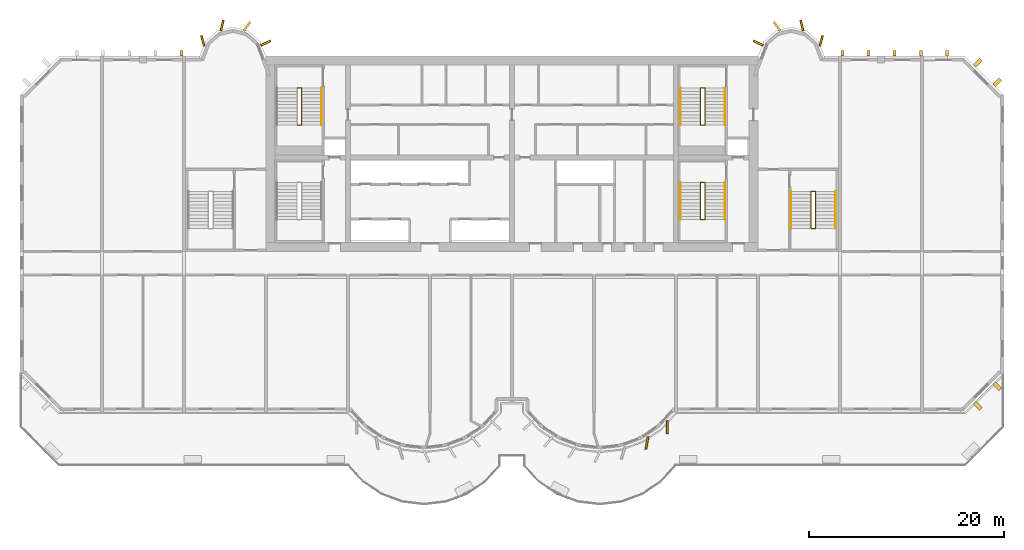
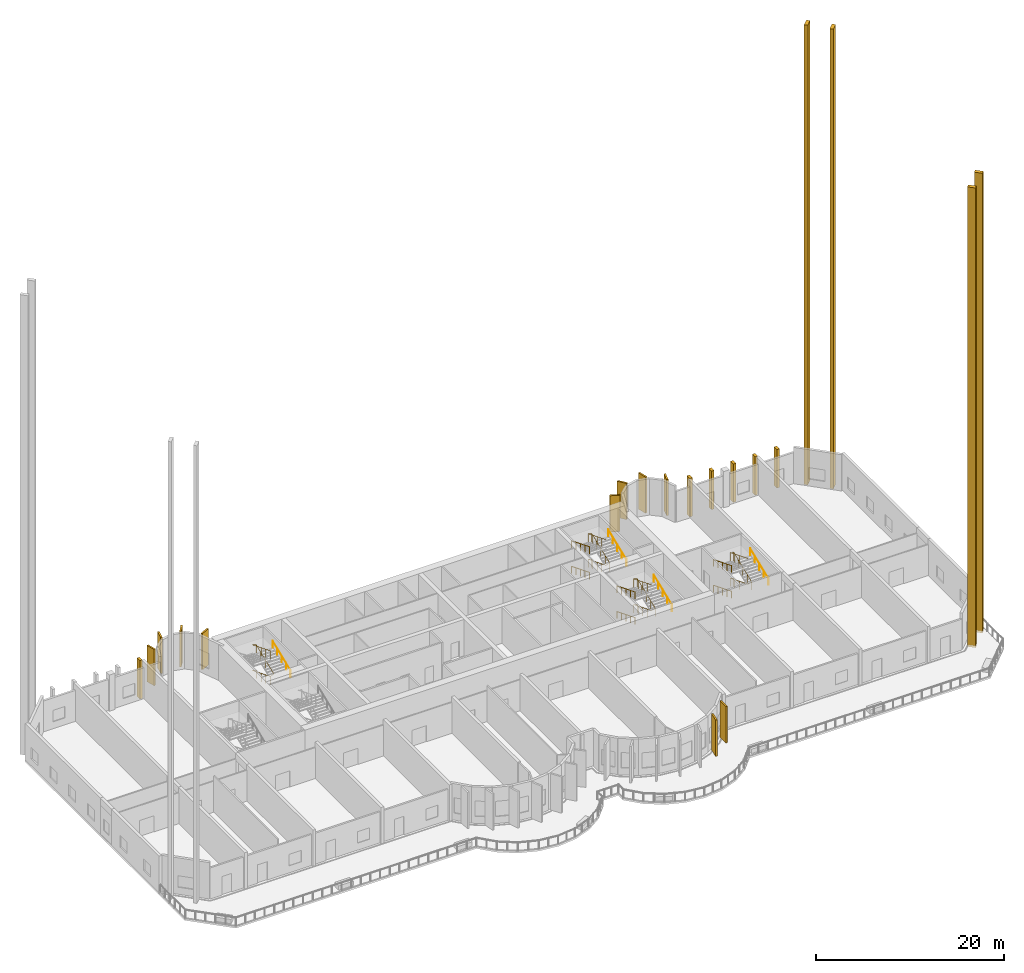
# One storey, part 12 of 13: 20 coverings, 14 railings.
"""IFC4 building model written with IfcOpenShell, lengths in metres."""

from ifc_helpers import new_model, si_unit, direction, frame, origin, origin_2d, place, context, subcontext, project, spatial, rectangle, circle, extrude, source, transform, mapped, material, material_profile, profile_set, type_object, element, save


model = new_model("IFC4")

# Units and contexts
model_context = context("Model", 3, precision=1e-05, world=origin(), true_north=direction((0.0, 1.0)))
body_context = subcontext(model_context, "Body", "Model", "MODEL_VIEW")
ifc_project = project(units=[si_unit("LENGTHUNIT", "METRE"), si_unit("AREAUNIT", "SQUARE_METRE"), si_unit("VOLUMEUNIT", "CUBIC_METRE"), si_unit("PLANEANGLEUNIT", "RADIAN"), si_unit("MASSUNIT", "GRAM", prefix="KILO")], contexts=[model_context])

# Site, building, storey
site_placement = place(None, origin())
site = spatial("IfcSite", under=ifc_project, at=site_placement, CompositionType="ELEMENT")
building_placement = place(site_placement, origin())
building = spatial("IfcBuilding", under=site, at=building_placement, Name="Vanashikhar Sky Hotel", CompositionType="ELEMENT")
storey_placement = place(building_placement, frame((0.0, 0.0, 86.39990234375)))
storey = spatial("IfcBuildingStorey", under=building, at=storey_placement, Name="L20", CompositionType="ELEMENT", Elevation=86.39990234375)

# Coverings
ifc_material_1 = material(Name="Concrete M60 dark", Category="concrete")
ifc_material_profile_1 = material_profile(ifc_material_1, rectangle(XDim=1.300048828125, YDim=0.199951171875, at=origin_2d()))
ifc_profile_set_1 = profile_set([ifc_material_profile_1], Name="Fin 1300 x 200")
covering_type_1 = type_object("IfcCoveringType", Name="Fin 1300 x 200", PredefinedType="CLADDING", material=ifc_profile_set_1)
shared_shape_1 = source(origin(), body_context, "Body", "SweptSolid", [
    extrude(rectangle(XDim=1.300048828125, YDim=0.199951171875, at=origin_2d()), origin(), (0.0, 0.0, 1.0), 4.72021484375),
])
for number, where, z_axis, x_axis, name in (
    (1, (64.2275390625, 2.3779296875, 0.0), (0.0, 0.0, 1.0), (-0.16989991575, -0.985461322746, 0.0), "Fin F2-6"),
    (2, (66.317626953125, 3.992919921875, 0.0), (0.0, 0.0, 1.0), (-0.011588726826, -0.999932848451, 0.0), "Fin F2-7"),
):
    element("IfcCovering", number, at=place(storey_placement, frame(where, z_axis=z_axis, x_axis=x_axis)), inside=storey, type_object=covering_type_1, Name=name, PredefinedType="CLADDING", context=body_context, shape_type="MappedRepresentation", body=[
        mapped(shared_shape_1, transform((0.0, 0.0, 0.0), scale=1.0)),
    ])
ifc_material_profile_2 = material_profile(ifc_material_1, rectangle(XDim=1.10009765625, YDim=0.199951171875, at=origin_2d()))
ifc_profile_set_2 = profile_set([ifc_material_profile_2], Name="Rear lobe fin 1100 x 200")
covering_type_2 = type_object("IfcCoveringType", Name="Rear lobe fin 1100 x 200", PredefinedType="CLADDING", material=ifc_profile_set_2)
shared_shape_2 = source(origin(), body_context, "Body", "SweptSolid", [
    extrude(rectangle(XDim=1.10009765625, YDim=0.199951171875, at=origin_2d()), origin(), (0.0, 0.0, 1.0), 4.72021484375),
])
for number, where, z_axis, x_axis, name in (
    (3, (18.720703125, 43.580078125, 0.0), (0.0, 0.0, 1.0), (-0.262711264409, 0.964874495234, 0.0), "Fin R1-1"),
    (4, (20.710205078125, 45.1455078125, 0.0), (0.0, 0.0, 1.0), (0.224644935864, 0.974440687159, 0.0), "Fin R1-2"),
    (5, (23.261962890625, 45.06640625, 0.0), (0.0, 0.0, 1.0), (0.602065892195, 0.798446404874, 0.0), "Fin R1-3"),
    (6, (25.169677734375, 43.33447265625, 0.0), (0.0, 0.0, 1.0), (0.908004291068, 0.418960866193, 0.0), "Fin R1-4"),
    (7, (75.63037109375, 43.33447265625, 0.0), (0.0, 0.0, 1.0), (-0.908004291068, 0.418960866193, 0.0), "Fin R2-1"),
    (8, (77.5380859375, 45.06640625, 0.0), (0.0, 0.0, 1.0), (-0.602065892195, 0.798446404874, 0.0), "Fin R2-2"),
    (9, (80.08984375, 45.1455078125, 0.0), (0.0, 0.0, 1.0), (-0.224644935864, 0.974440687159, 0.0), "Fin R2-3"),
    (10, (82.0791015625, 43.580078125, 0.0), (0.0, 0.0, 1.0), (0.262711264409, 0.964874495234, 0.0), "Fin R2-4"),
):
    element("IfcCovering", number, at=place(storey_placement, frame(where, z_axis=z_axis, x_axis=x_axis)), inside=storey, type_object=covering_type_2, Name=name, PredefinedType="CLADDING", context=body_context, shape_type="MappedRepresentation", body=[
        mapped(shared_shape_2, transform((0.0, 0.0, 0.0), scale=1.0)),
    ])
ifc_material_profile_3 = material_profile(ifc_material_1, rectangle(XDim=0.60009765625, YDim=0.300048828125, at=origin_2d()))
ifc_profile_set_3 = profile_set([ifc_material_profile_3], Name="Rear rib 600 x 300")
covering_type_3 = type_object("IfcCoveringType", Name="Rear rib 600 x 300", PredefinedType="CLADDING", material=ifc_profile_set_3)
shared_shape_3 = source(origin(), body_context, "Body", "SweptSolid", [
    extrude(rectangle(XDim=0.60009765625, YDim=0.300048828125, at=origin_2d()), origin(), (0.0, 0.0, 1.0), 5.0),
])
for number, where, z_axis, x_axis, name in (
    (11, (16.56005859375, 42.300048828125, -0.27978515625), (0.0, 0.0, 1.0), (0.0, 1.0, 0.0), "Rear rib"),
    (12, (84.239990234375, 42.300048828125, -0.27978515625), (0.0, 0.0, 1.0), (0.0, 1.0, 0.0), "Rear rib"),
    (13, (86.919921875, 42.300048828125, -0.27978515625), (0.0, 0.0, 1.0), (0.0, 1.0, 0.0), "Rear rib"),
    (14, (89.60009765625, 42.300048828125, -0.27978515625), (0.0, 0.0, 1.0), (0.0, 1.0, 0.0), "Rear rib"),
    (15, (92.280029296875, 42.300048828125, -0.27978515625), (0.0, 0.0, 1.0), (0.0, 1.0, 0.0), "Rear rib"),
    (16, (94.9599609375, 42.300048828125, -0.27978515625), (0.0, 0.0, 1.0), (0.0, 1.0, 0.0), "Rear rib"),
):
    element("IfcCovering", number, at=place(storey_placement, frame(where, z_axis=z_axis, x_axis=x_axis)), inside=storey, type_object=covering_type_3, Name=name, PredefinedType="CLADDING", context=body_context, shape_type="MappedRepresentation", body=[
        mapped(shared_shape_3, transform((0.0, 0.0, 0.0), scale=1.0)),
    ])
ifc_material_profile_4 = material_profile(ifc_material_1, rectangle(XDim=0.89990234375, YDim=0.39990234375, at=origin_2d()))
ifc_profile_set_4 = profile_set([ifc_material_profile_4], Name="Chamfer fin 900 x 400")
covering_type_4 = type_object("IfcCoveringType", Name="Chamfer fin 900 x 400", PredefinedType="CLADDING", material=ifc_profile_set_4)
shared_shape_4 = source(origin(), body_context, "Body", "SweptSolid", [
    extrude(rectangle(XDim=0.89990234375, YDim=0.39990234375, at=origin_2d()), origin(), (0.0, 0.0, 1.0), 59.7998046875),
])
for number, where, z_axis, x_axis, name in (
    (17, (98.1181640625, 6.181884765625, -0.27978515625), (0.0, 0.0, 1.0), (0.707106781187, -0.707106781187, 0.0), "Chamfer fin"),
    (18, (100.1181640625, 8.181884765625, -0.27978515625), (0.0, 0.0, 1.0), (0.707106781187, -0.707106781187, 0.0), "Chamfer fin"),
    (19, (100.1181640625, 39.318115234375, -0.27978515625), (0.0, 0.0, 1.0), (0.707106781187, 0.707106781187, 0.0), "Chamfer fin"),
    (20, (98.1181640625, 41.318115234375, -0.27978515625), (0.0, 0.0, 1.0), (0.707106781187, 0.707106781187, 0.0), "Chamfer fin"),
):
    element("IfcCovering", number, at=place(storey_placement, frame(where, z_axis=z_axis, x_axis=x_axis)), inside=storey, type_object=covering_type_4, Name=name, PredefinedType="CLADDING", context=body_context, shape_type="MappedRepresentation", body=[
        mapped(shared_shape_4, transform((0.0, 0.0, 0.0), scale=1.0)),
    ])

# Railings
ifc_material_2 = material(Name="Steel S355", Category="steel")
railing_type_1 = type_object("IfcRailingType", Name="Stair handrail 900", PredefinedType="HANDRAIL", material=ifc_material_2)
shared_shape_5 = source(origin(), body_context, "Body", "SweptSolid", [
    extrude(circle(Radius=0.02392578125, at=origin_2d()), frame((0.0, 0.0, 0.8759765625), z_axis=(0.0, 0.927817477834, 0.373034486109), x_axis=(-1.0, 0.0, 0.0)), (0.0, 0.0, 1.0), 4.095703125),
    extrude(circle(Radius=0.02099609375, at=origin_2d()), origin(), (0.0, 0.0, 1.0), 0.851806640625),
    extrude(circle(Radius=0.02099609375, at=origin_2d()), frame((0.0, 0.949951171875, 0.3818359375)), (0.0, 0.0, 1.0), 0.851806640625),
    extrude(circle(Radius=0.02099609375, at=origin_2d()), frame((0.0, 1.89990234375, 0.763916015625)), (0.0, 0.0, 1.0), 0.851806640625),
    extrude(circle(Radius=0.02099609375, at=origin_2d()), frame((0.0, 2.85009765625, 1.14599609375)), (0.0, 0.0, 1.0), 0.851806640625),
    extrude(circle(Radius=0.02099609375, at=origin_2d()), frame((0.0, 3.800048828125, 1.52783203125)), (0.0, 0.0, 1.0), 0.851806640625),
])
for number, where, name in (
    (21, (72.199951171875, 25.25, 1.8056640625), "Exit stair 2 handrail"),
    (22, (30.89990234375, 34.949951171875, 1.8056640625), "Exit stair 5 handrail"),
    (23, (72.199951171875, 34.949951171875, 1.8056640625), "Exit stair 6 handrail"),
):
    element("IfcRailing", number, at=place(storey_placement, frame(where)), inside=storey, type_object=railing_type_1, Name=name, PredefinedType="HANDRAIL", context=body_context, shape_type="MappedRepresentation", body=[
        mapped(shared_shape_5, transform((0.0, 0.0, 0.0), scale=1.0)),
    ])
shared_shape_6 = source(origin(), body_context, "Body", "SweptSolid", [
    extrude(circle(Radius=0.02392578125, at=origin_2d()), frame((0.0, 0.0, 0.8759765625), z_axis=(0.0, -0.927838108096, 0.372983170084), x_axis=(1.0, 0.0, 0.0)), (0.0, 0.0, 1.0), 4.095703125),
    extrude(circle(Radius=0.02099609375, at=origin_2d()), origin(), (0.0, 0.0, 1.0), 0.851806640625),
    extrude(circle(Radius=0.02099609375, at=origin_2d()), frame((0.0, -0.949951171875, 0.3818359375)), (0.0, 0.0, 1.0), 0.851806640625),
    extrude(circle(Radius=0.02099609375, at=origin_2d()), frame((0.0, -1.89990234375, 0.763671875)), (0.0, 0.0, 1.0), 0.851806640625),
    extrude(circle(Radius=0.02099609375, at=origin_2d()), frame((0.0, -2.85009765625, 1.145751953125)), (0.0, 0.0, 1.0), 0.851806640625),
    extrude(circle(Radius=0.02099609375, at=origin_2d()), frame((0.0, -3.800048828125, 1.527587890625)), (0.0, 0.0, 1.0), 0.851806640625),
])
for number, where, name in (
    (24, (67.64990234375, 29.050048828125, 3.472412109375), "Exit stair 2 handrail"),
    (25, (67.64990234375, 38.75, 3.472412109375), "Exit stair 6 handrail"),
):
    element("IfcRailing", number, at=place(storey_placement, frame(where)), inside=storey, type_object=railing_type_1, Name=name, PredefinedType="HANDRAIL", context=body_context, shape_type="MappedRepresentation", body=[
        mapped(shared_shape_6, transform((0.0, 0.0, 0.0), scale=1.0)),
    ])
railing_type_2 = type_object("IfcRailingType", Name="Stair guard 1100", PredefinedType="GUARDRAIL", material=ifc_material_2)
shared_shape_7 = source(origin(), body_context, "Body", "SweptSolid", [
    extrude(circle(Radius=0.02392578125, at=origin_2d()), frame((0.0, 0.0, 1.076171875), z_axis=(-0.955543416296, 0.0, 0.294850435939), x_axis=(0.0, -1.0, 0.0)), (0.0, 0.0, 1.0), 0.47119140625),
    extrude(circle(Radius=0.02392578125, at=origin_2d()), frame((-0.4501953125, 0.0, 1.21484375), z_axis=(0.0, -0.927817477834, 0.373034486109), x_axis=(1.0, 0.0, 0.0)), (0.0, 0.0, 1.0), 4.095703125),
    extrude(circle(Radius=0.02392578125, at=origin_2d()), frame((-0.4501953125, -3.800048828125, 2.74267578125), z_axis=(0.955543416296, 0.0, 0.294850435939), x_axis=(0.0, 1.0, 0.0)), (0.0, 0.0, 1.0), 0.47119140625),
    extrude(circle(Radius=0.02392578125, at=origin_2d()), frame((0.0, -3.800048828125, 2.8818359375), z_axis=(0.0, 0.927817477834, 0.373034486109), x_axis=(-1.0, 0.0, 0.0)), (0.0, 0.0, 1.0), 4.095703125),
    extrude(circle(Radius=0.02392578125, at=origin_2d()), frame((0.0, 0.0, 4.40966796875), z_axis=(-0.955543416296, 0.0, 0.294850435939), x_axis=(0.0, -1.0, 0.0)), (0.0, 0.0, 1.0), 0.47119140625),
    extrude(circle(Radius=0.02392578125, at=origin_2d()), frame((-0.4501953125, 0.0, 4.54833984375), z_axis=(0.0, -0.927838108096, 0.372983170084), x_axis=(1.0, 0.0, 0.0)), (0.0, 0.0, 1.0), 4.095703125),
    extrude(circle(Radius=0.02099609375, at=origin_2d()), origin(), (0.0, 0.0, 1.0), 1.052001953125),
    extrude(circle(Radius=0.02099609375, at=origin_2d()), frame((-0.4501953125, 0.0, 0.138916015625)), (0.0, 0.0, 1.0), 1.052001953125),
    extrude(circle(Radius=0.02099609375, at=origin_2d()), frame((-0.4501953125, -0.949951171875, 0.52099609375)), (0.0, 0.0, 1.0), 1.052001953125),
    extrude(circle(Radius=0.02099609375, at=origin_2d()), frame((-0.4501953125, -1.89990234375, 0.90283203125)), (0.0, 0.0, 1.0), 1.052001953125),
    extrude(circle(Radius=0.02099609375, at=origin_2d()), frame((-0.4501953125, -2.85009765625, 1.28466796875)), (0.0, 0.0, 1.0), 1.052001953125),
    extrude(circle(Radius=0.02099609375, at=origin_2d()), frame((-0.4501953125, -3.800048828125, 1.666748046875)), (0.0, 0.0, 1.0), 1.052001953125),
    extrude(circle(Radius=0.02099609375, at=origin_2d()), frame((0.0, -3.800048828125, 1.8056640625)), (0.0, 0.0, 1.0), 1.052001953125),
    extrude(circle(Radius=0.02099609375, at=origin_2d()), frame((0.0, -2.85009765625, 2.1875)), (0.0, 0.0, 1.0), 1.052001953125),
    extrude(circle(Radius=0.02099609375, at=origin_2d()), frame((0.0, -1.89990234375, 2.569580078125)), (0.0, 0.0, 1.0), 1.052001953125),
    extrude(circle(Radius=0.02099609375, at=origin_2d()), frame((0.0, -0.949951171875, 2.95166015625)), (0.0, 0.0, 1.0), 1.052001953125),
    extrude(circle(Radius=0.02099609375, at=origin_2d()), frame((0.0, 0.0, 3.33349609375)), (0.0, 0.0, 1.0), 1.052001953125),
    extrude(circle(Radius=0.02099609375, at=origin_2d()), frame((-0.4501953125, 0.0, 3.472412109375)), (0.0, 0.0, 1.0), 1.052001953125),
    extrude(circle(Radius=0.02099609375, at=origin_2d()), frame((-0.4501953125, -0.949951171875, 3.854248046875)), (0.0, 0.0, 1.0), 1.052001953125),
    extrude(circle(Radius=0.02099609375, at=origin_2d()), frame((-0.4501953125, -1.89990234375, 4.236328125)), (0.0, 0.0, 1.0), 1.052001953125),
    extrude(circle(Radius=0.02099609375, at=origin_2d()), frame((-0.4501953125, -2.85009765625, 4.6181640625)), (0.0, 0.0, 1.0), 1.052001953125),
    extrude(circle(Radius=0.02099609375, at=origin_2d()), frame((-0.4501953125, -3.800048828125, 5.0)), (0.0, 0.0, 1.0), 1.052001953125),
])
railing_1_placement = place(storey_placement, frame((28.85009765625, 38.75, 0.0)))
element("IfcRailing", 26, at=railing_1_placement, inside=storey, type_object=railing_type_2, Name="Exit stair 5 guard", PredefinedType="GUARDRAIL", context=body_context, shape_type="MappedRepresentation", body=[
    mapped(shared_shape_7, transform((0.0, 0.0, 0.0), scale=1.0)),
])
shared_shape_8 = source(origin(), body_context, "Body", "SweptSolid", [
    extrude(circle(Radius=0.02392578125, at=origin_2d()), frame((0.0, 0.0, 0.8759765625), z_axis=(0.0, -0.927817477834, 0.373034486109), x_axis=(1.0, 0.0, 0.0)), (0.0, 0.0, 1.0), 4.095703125),
    extrude(circle(Radius=0.02099609375, at=origin_2d()), origin(), (0.0, 0.0, 1.0), 0.851806640625),
    extrude(circle(Radius=0.02099609375, at=origin_2d()), frame((0.0, -0.949951171875, 0.3818359375)), (0.0, 0.0, 1.0), 0.851806640625),
    extrude(circle(Radius=0.02099609375, at=origin_2d()), frame((0.0, -1.89990234375, 0.763916015625)), (0.0, 0.0, 1.0), 0.851806640625),
    extrude(circle(Radius=0.02099609375, at=origin_2d()), frame((0.0, -2.85009765625, 1.14599609375)), (0.0, 0.0, 1.0), 0.851806640625),
    extrude(circle(Radius=0.02099609375, at=origin_2d()), frame((0.0, -3.800048828125, 1.52783203125)), (0.0, 0.0, 1.0), 0.851806640625),
])
for number, where, name in (
    (27, (67.64990234375, 29.050048828125, 0.138916015625), "Exit stair 2 handrail"),
    (28, (67.64990234375, 38.75, 0.138916015625), "Exit stair 6 handrail"),
):
    element("IfcRailing", number, at=place(storey_placement, frame(where)), inside=storey, type_object=railing_type_1, Name=name, PredefinedType="HANDRAIL", context=body_context, shape_type="MappedRepresentation", body=[
        mapped(shared_shape_8, transform((0.0, 0.0, 0.0), scale=1.0)),
    ])
shared_shape_9 = source(origin(), body_context, "Body", "SweptSolid", [
    extrude(circle(Radius=0.02392578125, at=origin_2d()), frame((0.0, 0.0, 1.076171875), z_axis=(-0.955498332995, 0.0, 0.294996501071), x_axis=(0.0, -1.0, 0.0)), (0.0, 0.0, 1.0), 0.470947265625),
    extrude(circle(Radius=0.02392578125, at=origin_2d()), frame((-0.449951171875, 0.0, 1.21484375), z_axis=(0.0, -0.927817477834, 0.373034486109), x_axis=(1.0, 0.0, 0.0)), (0.0, 0.0, 1.0), 4.095703125),
    extrude(circle(Radius=0.02392578125, at=origin_2d()), frame((-0.449951171875, -3.800048828125, 2.74267578125), z_axis=(0.955498332995, 0.0, 0.294996501071), x_axis=(0.0, 1.0, 0.0)), (0.0, 0.0, 1.0), 0.470947265625),
    extrude(circle(Radius=0.02392578125, at=origin_2d()), frame((0.0, -3.800048828125, 2.8818359375), z_axis=(0.0, 0.927817477834, 0.373034486109), x_axis=(-1.0, 0.0, 0.0)), (0.0, 0.0, 1.0), 4.095703125),
    extrude(circle(Radius=0.02392578125, at=origin_2d()), frame((0.0, 0.0, 4.40966796875), z_axis=(-0.955498332995, 0.0, 0.294996501071), x_axis=(0.0, -1.0, 0.0)), (0.0, 0.0, 1.0), 0.470947265625),
    extrude(circle(Radius=0.02392578125, at=origin_2d()), frame((-0.449951171875, 0.0, 4.54833984375), z_axis=(0.0, -0.927838108096, 0.372983170084), x_axis=(1.0, 0.0, 0.0)), (0.0, 0.0, 1.0), 4.095703125),
    extrude(circle(Radius=0.02099609375, at=origin_2d()), origin(), (0.0, 0.0, 1.0), 1.052001953125),
    extrude(circle(Radius=0.02099609375, at=origin_2d()), frame((-0.449951171875, 0.0, 0.138916015625)), (0.0, 0.0, 1.0), 1.052001953125),
    extrude(circle(Radius=0.02099609375, at=origin_2d()), frame((-0.449951171875, -0.949951171875, 0.52099609375)), (0.0, 0.0, 1.0), 1.052001953125),
    extrude(circle(Radius=0.02099609375, at=origin_2d()), frame((-0.449951171875, -1.89990234375, 0.90283203125)), (0.0, 0.0, 1.0), 1.052001953125),
    extrude(circle(Radius=0.02099609375, at=origin_2d()), frame((-0.449951171875, -2.85009765625, 1.28466796875)), (0.0, 0.0, 1.0), 1.052001953125),
    extrude(circle(Radius=0.02099609375, at=origin_2d()), frame((-0.449951171875, -3.800048828125, 1.666748046875)), (0.0, 0.0, 1.0), 1.052001953125),
    extrude(circle(Radius=0.02099609375, at=origin_2d()), frame((0.0, -3.800048828125, 1.8056640625)), (0.0, 0.0, 1.0), 1.052001953125),
    extrude(circle(Radius=0.02099609375, at=origin_2d()), frame((0.0, -2.85009765625, 2.1875)), (0.0, 0.0, 1.0), 1.052001953125),
    extrude(circle(Radius=0.02099609375, at=origin_2d()), frame((0.0, -1.89990234375, 2.569580078125)), (0.0, 0.0, 1.0), 1.052001953125),
    extrude(circle(Radius=0.02099609375, at=origin_2d()), frame((0.0, -0.949951171875, 2.95166015625)), (0.0, 0.0, 1.0), 1.052001953125),
    extrude(circle(Radius=0.02099609375, at=origin_2d()), frame((0.0, 0.0, 3.33349609375)), (0.0, 0.0, 1.0), 1.052001953125),
    extrude(circle(Radius=0.02099609375, at=origin_2d()), frame((-0.449951171875, 0.0, 3.472412109375)), (0.0, 0.0, 1.0), 1.052001953125),
    extrude(circle(Radius=0.02099609375, at=origin_2d()), frame((-0.449951171875, -0.949951171875, 3.854248046875)), (0.0, 0.0, 1.0), 1.052001953125),
    extrude(circle(Radius=0.02099609375, at=origin_2d()), frame((-0.449951171875, -1.89990234375, 4.236328125)), (0.0, 0.0, 1.0), 1.052001953125),
    extrude(circle(Radius=0.02099609375, at=origin_2d()), frame((-0.449951171875, -2.85009765625, 4.6181640625)), (0.0, 0.0, 1.0), 1.052001953125),
    extrude(circle(Radius=0.02099609375, at=origin_2d()), frame((-0.449951171875, -3.800048828125, 5.0)), (0.0, 0.0, 1.0), 1.052001953125),
])
for number, where, name in (
    (29, (70.14990234375, 29.050048828125, 0.0), "Exit stair 2 guard"),
    (30, (70.14990234375, 38.75, 0.0), "Exit stair 6 guard"),
):
    element("IfcRailing", number, at=place(storey_placement, frame(where)), inside=storey, type_object=railing_type_2, Name=name, PredefinedType="GUARDRAIL", context=body_context, shape_type="MappedRepresentation", body=[
        mapped(shared_shape_9, transform((0.0, 0.0, 0.0), scale=1.0)),
    ])
shared_shape_10 = source(origin(), body_context, "Body", "SweptSolid", [
    extrude(circle(Radius=0.02392578125, at=origin_2d()), frame((0.0, 0.0, 0.8759765625), z_axis=(0.0, 0.927809182241, 0.37305511838), x_axis=(-1.0, 0.0, 0.0)), (0.0, 0.0, 1.0), 4.095458984375),
    extrude(circle(Radius=0.02099609375, at=origin_2d()), origin(), (0.0, 0.0, 1.0), 0.851806640625),
    extrude(circle(Radius=0.02099609375, at=origin_2d()), frame((0.0, 0.949951171875, 0.3818359375)), (0.0, 0.0, 1.0), 0.851806640625),
    extrude(circle(Radius=0.02099609375, at=origin_2d()), frame((0.0, 1.89990234375, 0.763916015625)), (0.0, 0.0, 1.0), 0.851806640625),
    extrude(circle(Radius=0.02099609375, at=origin_2d()), frame((0.0, 2.849853515625, 1.14599609375)), (0.0, 0.0, 1.0), 0.851806640625),
    extrude(circle(Radius=0.02099609375, at=origin_2d()), frame((0.0, 3.7998046875, 1.52783203125)), (0.0, 0.0, 1.0), 0.851806640625),
])
railing_2_placement = place(storey_placement, frame((83.550048828125, 24.35009765625, 1.8056640625)))
element("IfcRailing", 31, at=railing_2_placement, inside=storey, type_object=railing_type_1, Name="Exit stair 4 handrail", PredefinedType="HANDRAIL", context=body_context, shape_type="MappedRepresentation", body=[
    mapped(shared_shape_10, transform((0.0, 0.0, 0.0), scale=1.0)),
])
shared_shape_11 = source(origin(), body_context, "Body", "SweptSolid", [
    extrude(circle(Radius=0.02392578125, at=origin_2d()), frame((0.0, 0.0, 0.8759765625), z_axis=(0.0, -0.927829814601, 0.373003800434), x_axis=(1.0, 0.0, 0.0)), (0.0, 0.0, 1.0), 4.095458984375),
    extrude(circle(Radius=0.02099609375, at=origin_2d()), origin(), (0.0, 0.0, 1.0), 0.851806640625),
    extrude(circle(Radius=0.02099609375, at=origin_2d()), frame((0.0, -0.949951171875, 0.3818359375)), (0.0, 0.0, 1.0), 0.851806640625),
    extrude(circle(Radius=0.02099609375, at=origin_2d()), frame((0.0, -1.89990234375, 0.763671875)), (0.0, 0.0, 1.0), 0.851806640625),
    extrude(circle(Radius=0.02099609375, at=origin_2d()), frame((0.0, -2.849853515625, 1.145751953125)), (0.0, 0.0, 1.0), 0.851806640625),
    extrude(circle(Radius=0.02099609375, at=origin_2d()), frame((0.0, -3.7998046875, 1.527587890625)), (0.0, 0.0, 1.0), 0.851806640625),
])
railing_3_placement = place(storey_placement, frame((79.0, 28.14990234375, 3.472412109375)))
element("IfcRailing", 32, at=railing_3_placement, inside=storey, type_object=railing_type_1, Name="Exit stair 4 handrail", PredefinedType="HANDRAIL", context=body_context, shape_type="MappedRepresentation", body=[
    mapped(shared_shape_11, transform((0.0, 0.0, 0.0), scale=1.0)),
])
shared_shape_12 = source(origin(), body_context, "Body", "SweptSolid", [
    extrude(circle(Radius=0.02392578125, at=origin_2d()), frame((0.0, 0.0, 1.076171875), z_axis=(-0.955498332995, 0.0, 0.294996501071), x_axis=(0.0, -1.0, 0.0)), (0.0, 0.0, 1.0), 0.470947265625),
    extrude(circle(Radius=0.02392578125, at=origin_2d()), frame((-0.449951171875, 0.0, 1.21484375), z_axis=(0.0, -0.927809182241, 0.37305511838), x_axis=(1.0, 0.0, 0.0)), (0.0, 0.0, 1.0), 4.095458984375),
    extrude(circle(Radius=0.02392578125, at=origin_2d()), frame((-0.449951171875, -3.7998046875, 2.74267578125), z_axis=(0.955498332995, 0.0, 0.294996501071), x_axis=(0.0, 1.0, 0.0)), (0.0, 0.0, 1.0), 0.470947265625),
    extrude(circle(Radius=0.02392578125, at=origin_2d()), frame((0.0, -3.7998046875, 2.8818359375), z_axis=(0.0, 0.927809182241, 0.37305511838), x_axis=(-1.0, 0.0, 0.0)), (0.0, 0.0, 1.0), 4.095458984375),
    extrude(circle(Radius=0.02392578125, at=origin_2d()), frame((0.0, 0.0, 4.40966796875), z_axis=(-0.955498332995, 0.0, 0.294996501071), x_axis=(0.0, -1.0, 0.0)), (0.0, 0.0, 1.0), 0.470947265625),
    extrude(circle(Radius=0.02392578125, at=origin_2d()), frame((-0.449951171875, 0.0, 4.54833984375), z_axis=(0.0, -0.927829814601, 0.373003800434), x_axis=(1.0, 0.0, 0.0)), (0.0, 0.0, 1.0), 4.095458984375),
    extrude(circle(Radius=0.02099609375, at=origin_2d()), origin(), (0.0, 0.0, 1.0), 1.052001953125),
    extrude(circle(Radius=0.02099609375, at=origin_2d()), frame((-0.449951171875, 0.0, 0.138916015625)), (0.0, 0.0, 1.0), 1.052001953125),
    extrude(circle(Radius=0.02099609375, at=origin_2d()), frame((-0.449951171875, -0.949951171875, 0.52099609375)), (0.0, 0.0, 1.0), 1.052001953125),
    extrude(circle(Radius=0.02099609375, at=origin_2d()), frame((-0.449951171875, -1.89990234375, 0.90283203125)), (0.0, 0.0, 1.0), 1.052001953125),
    extrude(circle(Radius=0.02099609375, at=origin_2d()), frame((-0.449951171875, -2.849853515625, 1.28466796875)), (0.0, 0.0, 1.0), 1.052001953125),
    extrude(circle(Radius=0.02099609375, at=origin_2d()), frame((-0.449951171875, -3.7998046875, 1.666748046875)), (0.0, 0.0, 1.0), 1.052001953125),
    extrude(circle(Radius=0.02099609375, at=origin_2d()), frame((0.0, -3.7998046875, 1.8056640625)), (0.0, 0.0, 1.0), 1.052001953125),
    extrude(circle(Radius=0.02099609375, at=origin_2d()), frame((0.0, -2.849853515625, 2.1875)), (0.0, 0.0, 1.0), 1.052001953125),
    extrude(circle(Radius=0.02099609375, at=origin_2d()), frame((0.0, -1.89990234375, 2.569580078125)), (0.0, 0.0, 1.0), 1.052001953125),
    extrude(circle(Radius=0.02099609375, at=origin_2d()), frame((0.0, -0.949951171875, 2.95166015625)), (0.0, 0.0, 1.0), 1.052001953125),
    extrude(circle(Radius=0.02099609375, at=origin_2d()), frame((0.0, 0.0, 3.33349609375)), (0.0, 0.0, 1.0), 1.052001953125),
    extrude(circle(Radius=0.02099609375, at=origin_2d()), frame((-0.449951171875, 0.0, 3.472412109375)), (0.0, 0.0, 1.0), 1.052001953125),
    extrude(circle(Radius=0.02099609375, at=origin_2d()), frame((-0.449951171875, -0.949951171875, 3.854248046875)), (0.0, 0.0, 1.0), 1.052001953125),
    extrude(circle(Radius=0.02099609375, at=origin_2d()), frame((-0.449951171875, -1.89990234375, 4.236328125)), (0.0, 0.0, 1.0), 1.052001953125),
    extrude(circle(Radius=0.02099609375, at=origin_2d()), frame((-0.449951171875, -2.849853515625, 4.6181640625)), (0.0, 0.0, 1.0), 1.052001953125),
    extrude(circle(Radius=0.02099609375, at=origin_2d()), frame((-0.449951171875, -3.7998046875, 5.0)), (0.0, 0.0, 1.0), 1.052001953125),
])
railing_4_placement = place(storey_placement, frame((81.5, 28.14990234375, 0.0)))
element("IfcRailing", 33, at=railing_4_placement, inside=storey, type_object=railing_type_2, Name="Exit stair 4 guard", PredefinedType="GUARDRAIL", context=body_context, shape_type="MappedRepresentation", body=[
    mapped(shared_shape_12, transform((0.0, 0.0, 0.0), scale=1.0)),
])
shared_shape_13 = source(origin(), body_context, "Body", "SweptSolid", [
    extrude(circle(Radius=0.02392578125, at=origin_2d()), frame((0.0, 0.0, 0.8759765625), z_axis=(0.0, -0.927809182241, 0.37305511838), x_axis=(1.0, 0.0, 0.0)), (0.0, 0.0, 1.0), 4.095458984375),
    extrude(circle(Radius=0.02099609375, at=origin_2d()), origin(), (0.0, 0.0, 1.0), 0.851806640625),
    extrude(circle(Radius=0.02099609375, at=origin_2d()), frame((0.0, -0.949951171875, 0.3818359375)), (0.0, 0.0, 1.0), 0.851806640625),
    extrude(circle(Radius=0.02099609375, at=origin_2d()), frame((0.0, -1.89990234375, 0.763916015625)), (0.0, 0.0, 1.0), 0.851806640625),
    extrude(circle(Radius=0.02099609375, at=origin_2d()), frame((0.0, -2.849853515625, 1.14599609375)), (0.0, 0.0, 1.0), 0.851806640625),
    extrude(circle(Radius=0.02099609375, at=origin_2d()), frame((0.0, -3.7998046875, 1.52783203125)), (0.0, 0.0, 1.0), 0.851806640625),
])
railing_5_placement = place(storey_placement, frame((79.0, 28.14990234375, 0.138916015625)))
element("IfcRailing", 34, at=railing_5_placement, inside=storey, type_object=railing_type_1, Name="Exit stair 4 handrail", PredefinedType="HANDRAIL", context=body_context, shape_type="MappedRepresentation", body=[
    mapped(shared_shape_13, transform((0.0, 0.0, 0.0), scale=1.0)),
])

save(model, "model.ifc")
